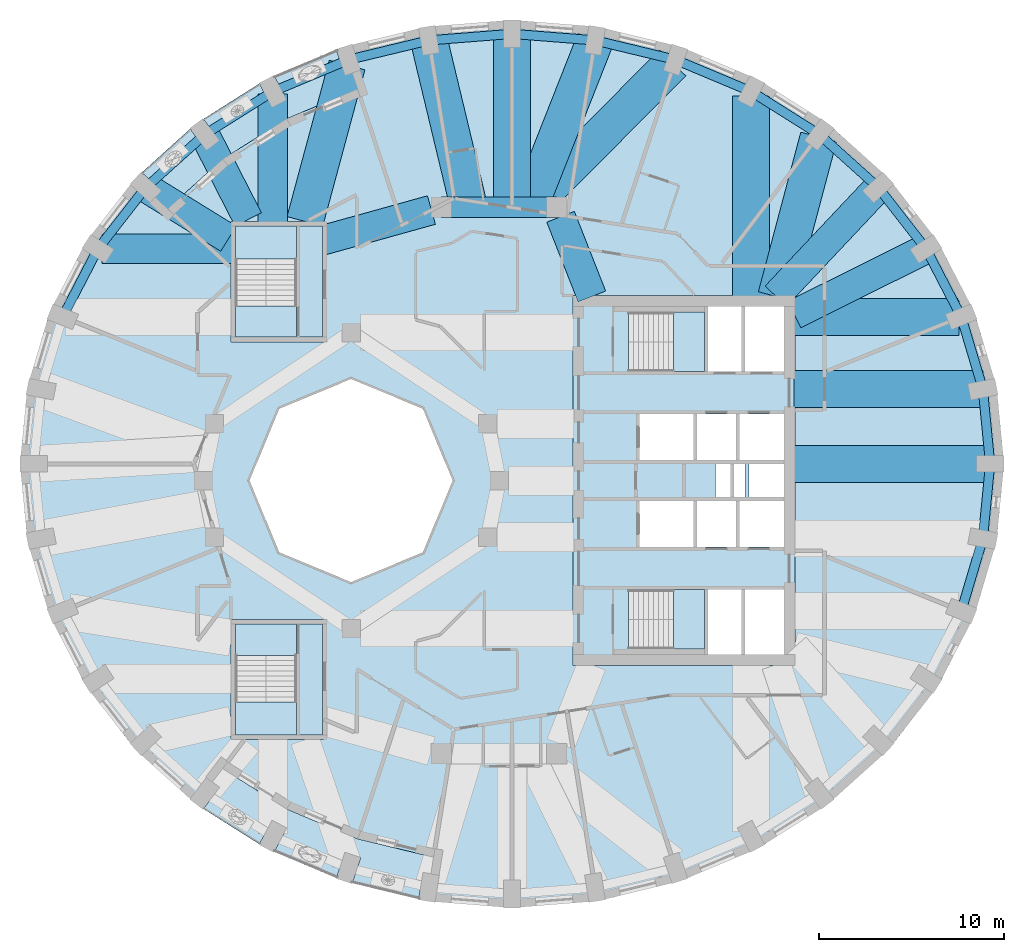
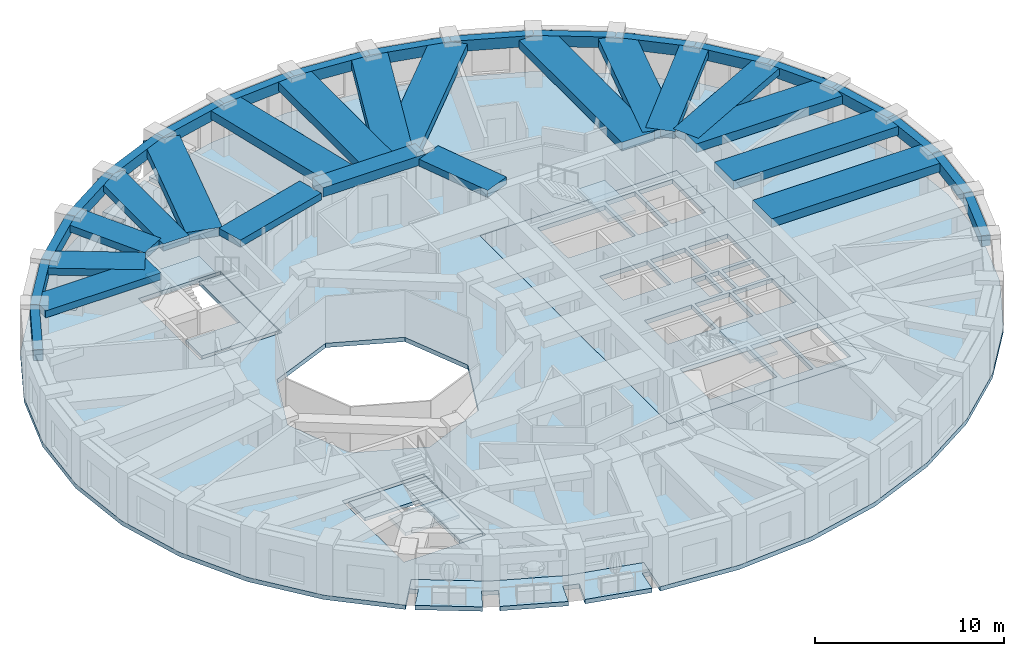
# One storey, part 2 of 12: 37 beams, 12 slabs, 4 elements without a shape of their own.
"""IFC4 building model written with IfcOpenShell, lengths in metres."""

from ifc_helpers import new_model, si_unit, direction, frame, origin, origin_2d, place, context, subcontext, project, spatial, polyline, rectangle, outline, extrude, material, layer, layer_set, material_profile, profile_set, type_object, element, aggregate, save


model = new_model("IFC4")

# Units and contexts
model_context = context("Model", 3, precision=1e-05, world=origin(), true_north=direction((0.0, 1.0)))
body_context = subcontext(model_context, "Body", "Model", "MODEL_VIEW")
ifc_project = project(units=[si_unit("LENGTHUNIT", "METRE"), si_unit("AREAUNIT", "SQUARE_METRE"), si_unit("VOLUMEUNIT", "CUBIC_METRE"), si_unit("PLANEANGLEUNIT", "RADIAN"), si_unit("MASSUNIT", "GRAM", prefix="KILO")], contexts=[model_context])

# Site, building, storey
site_placement = place(None, origin())
site = spatial("IfcSite", under=ifc_project, at=site_placement, CompositionType="ELEMENT")
building_placement = place(site_placement, origin())
building = spatial("IfcBuilding", under=site, at=building_placement, Name="Taillehof Tower", CompositionType="ELEMENT")
storey_placement = place(building_placement, frame((0.0, 0.0, 212.300048828125)))
storey = spatial("IfcBuildingStorey", under=building, at=storey_placement, Name="L60", CompositionType="ELEMENT", Elevation=212.300048828125)

# Beams
ifc_material_1 = material(Name="Concrete C50/60", Category="concrete")
ifc_material_profile_1 = material_profile(ifc_material_1, rectangle(XDim=1.10009765625, YDim=0.60009765625, at=origin_2d()), Name="RC 1100x600")
ifc_profile_set_1 = profile_set([ifc_material_profile_1], Name="Concrete C50/60")
beam_type_1 = type_object("IfcBeamType", Name="Mid-ring beam C50/60 1100x600", PredefinedType="BEAM", material=ifc_profile_set_1)
beam_1_placement = place(storey_placement, frame((3.125732421875, 14.772216796875, 2.719970703125), z_axis=(-1.0, 0.0, 0.0), x_axis=(0.0, -1.0, 0.0)))
element("IfcBeam", 1, at=beam_1_placement, inside=storey, type_object=beam_type_1, Name="Mid-ring beam MB01", PredefinedType="BEAM", context=body_context, shape_type="SweptSolid", body=[
    extrude(rectangle(XDim=1.10009765625, YDim=0.60009765625, at=origin_2d()), origin(), (0.0, 0.0, 1.0), 6.25146484375),
])
ifc_material_2 = material(Name="Concrete C50/60", Category="concrete")
ifc_material_profile_2 = material_profile(ifc_material_2, rectangle(XDim=1.60009765625, YDim=0.449951171875, at=origin_2d()), Name="RC 1600x450")
ifc_profile_set_2 = profile_set([ifc_material_profile_2], Name="Concrete C50/60")
beam_type_2 = type_object("IfcBeamType", Name="Radial band beam C50/60 1600x450", PredefinedType="BEAM", material=ifc_profile_set_2)
beam_2_placement = place(storey_placement, frame((23.086669921875, 12.52490234375, 2.794921875), z_axis=(-0.895357082848, -0.445348957778, 0.0), x_axis=(0.445348957778, -0.895357082848, 0.0)))
element("IfcBeam", 2, at=beam_2_placement, inside=storey, type_object=beam_type_2, Name="Radial band beam RB04", PredefinedType="BEAM", context=body_context, shape_type="SweptSolid", body=[
    extrude(rectangle(XDim=1.60009765625, YDim=0.449951171875, at=origin_2d()), origin(), (0.0, 0.0, 1.0), 7.96484375),
])
beam_3_placement = place(storey_placement, frame((20.502197265625, 15.8447265625, 2.794921875), z_axis=(-0.685451470964, -0.728118315217, 0.0), x_axis=(0.728118315217, -0.685451470964, 0.0)))
element("IfcBeam", 3, at=beam_3_placement, inside=storey, type_object=beam_type_2, Name="Radial band beam RB05", PredefinedType="BEAM", context=body_context, shape_type="SweptSolid", body=[
    extrude(rectangle(XDim=1.60009765625, YDim=0.449951171875, at=origin_2d()), origin(), (0.0, 0.0, 1.0), 8.07373046875),
])
beam_4_placement = place(storey_placement, frame((-12.22509765625, 20.9013671875, 2.794921875), z_axis=(0.0, -1.0, 0.0), x_axis=(1.0, 0.0, 0.0)))
element("IfcBeam", 4, at=beam_4_placement, inside=storey, type_object=beam_type_2, Name="Radial band beam RB13", PredefinedType="BEAM", context=body_context, shape_type="SweptSolid", body=[
    extrude(rectangle(XDim=1.60009765625, YDim=0.449951171875, at=origin_2d()), origin(), (0.0, 0.0, 1.0), 6.951416015625),
])
beam_5_placement = place(storey_placement, frame((-15.916015625, 18.71044921875, 2.794921875), z_axis=(0.456360793517, -0.889794822496, 0.0), x_axis=(0.889794822496, 0.456360793517, 0.0)))
element("IfcBeam", 5, at=beam_5_placement, inside=storey, type_object=beam_type_2, Name="Radial band beam RB14", PredefinedType="BEAM", context=body_context, shape_type="SweptSolid", body=[
    extrude(rectangle(XDim=1.60009765625, YDim=0.449951171875, at=origin_2d()), origin(), (0.0, 0.0, 1.0), 5.16455078125),
])
beam_6_placement = place(storey_placement, frame((-19.102294921875, 15.8447265625, 2.794921875), z_axis=(0.850616081395, -0.525787297366, 0.0), x_axis=(0.525787297366, 0.850616081395, 0.0)))
element("IfcBeam", 6, at=beam_6_placement, inside=storey, type_object=beam_type_2, Name="Radial band beam RB15", PredefinedType="BEAM", context=body_context, shape_type="SweptSolid", body=[
    extrude(rectangle(XDim=1.60009765625, YDim=0.449951171875, at=origin_2d()), origin(), (0.0, 0.0, 1.0), 5.260498046875),
])
beam_7_placement = place(storey_placement, frame((-21.47021484375, 12.52490234375, 2.794921875), z_axis=(1.0, 0.0, 0.0), x_axis=(0.0, 1.0, 0.0)))
element("IfcBeam", 7, at=beam_7_placement, inside=storey, type_object=beam_type_2, Name="Radial band beam RB16", PredefinedType="BEAM", context=body_context, shape_type="SweptSolid", body=[
    extrude(rectangle(XDim=1.60009765625, YDim=0.449951171875, at=origin_2d()), origin(), (0.0, 0.0, 1.0), 7.020263671875),
])
beam_8_placement = place(storey_placement, frame((3.32666015625, 14.26025390625, 2.794921875), z_axis=(0.365588707223, -0.930776502255, 0.0), x_axis=(0.930776502255, 0.365588707223, 0.0)))
element("IfcBeam", 8, at=beam_8_placement, inside=storey, type_object=beam_type_2, Name="Inner band beam IB205", PredefinedType="BEAM", context=body_context, shape_type="SweptSolid", body=[
    extrude(rectangle(XDim=1.60009765625, YDim=0.449951171875, at=origin_2d()), origin(), (0.0, 0.0, 1.0), 4.627197265625),
])
beam_9_placement = place(storey_placement, frame((-3.655517578125, 14.624755859375, 2.794921875), z_axis=(-0.963459369536, -0.267854518821, 0.0), x_axis=(0.267854518821, -0.963459369536, 0.0)))
element("IfcBeam", 9, at=beam_9_placement, inside=storey, type_object=beam_type_2, Name="Inner band beam IB206", PredefinedType="BEAM", context=body_context, shape_type="SweptSolid", body=[
    extrude(rectangle(XDim=1.60009765625, YDim=0.449951171875, at=origin_2d()), origin(), (0.0, 0.0, 1.0), 6.096923828125),
])
ifc_material_3 = material(Name="Concrete C50/60", Category="concrete")
ifc_material_profile_3 = material_profile(ifc_material_3, rectangle(XDim=2.0, YDim=0.550048828125, at=origin_2d()), Name="RC 2000x550")
ifc_profile_set_3 = profile_set([ifc_material_profile_3], Name="Concrete C50/60")
beam_type_3 = type_object("IfcBeamType", Name="Radial band beam C50/60 2000x550", PredefinedType="BEAM", material=ifc_profile_set_3)
beam_10_placement = place(storey_placement, frame((26.550048828125, 0.89990234375, 2.744873046875), z_axis=(-1.0, 0.0, 0.0), x_axis=(0.0, -1.0, 0.0)))
element("IfcBeam", 10, at=beam_10_placement, inside=storey, type_object=beam_type_3, Name="Radial band beam RB01", PredefinedType="BEAM", context=body_context, shape_type="SweptSolid", body=[
    extrude(rectangle(XDim=2.0, YDim=0.550048828125, at=origin_2d()), origin(), (0.0, 0.0, 1.0), 10.60009765625),
])
beam_11_placement = place(storey_placement, frame((26.1572265625, 4.937255859375, 2.744873046875), z_axis=(-1.0, 0.0, 0.0), x_axis=(0.0, -1.0, 0.0)))
element("IfcBeam", 11, at=beam_11_placement, inside=storey, type_object=beam_type_3, Name="Radial band beam RB02", PredefinedType="BEAM", context=body_context, shape_type="SweptSolid", body=[
    extrude(rectangle(XDim=2.0, YDim=0.550048828125, at=origin_2d()), origin(), (0.0, 0.0, 1.0), 10.207275390625),
])
beam_12_placement = place(storey_placement, frame((24.856201171875, 8.85205078125, 2.744873046875), z_axis=(-1.0, 0.0, 0.0), x_axis=(0.0, -1.0, 0.0)))
element("IfcBeam", 12, at=beam_12_placement, inside=storey, type_object=beam_type_3, Name="Radial band beam RB03", PredefinedType="BEAM", context=body_context, shape_type="SweptSolid", body=[
    extrude(rectangle(XDim=2.0, YDim=0.550048828125, at=origin_2d()), origin(), (0.0, 0.0, 1.0), 8.90625),
])
beam_13_placement = place(storey_placement, frame((17.28076171875, 18.577880859375, 2.744873046875), z_axis=(-0.256969711091, -0.966419457369, 0.0), x_axis=(0.966419457369, -0.256969711091, 0.0)))
element("IfcBeam", 13, at=beam_13_placement, inside=storey, type_object=beam_type_3, Name="Radial band beam RB06", PredefinedType="BEAM", context=body_context, shape_type="SweptSolid", body=[
    extrude(rectangle(XDim=2.0, YDim=0.550048828125, at=origin_2d()), origin(), (0.0, 0.0, 1.0), 8.926025390625),
])
beam_14_placement = place(storey_placement, frame((13.625, 20.797607421875, 2.744873046875), z_axis=(0.0, -1.0, 0.0), x_axis=(1.0, 0.0, 0.0)))
element("IfcBeam", 14, at=beam_14_placement, inside=storey, type_object=beam_type_3, Name="Radial band beam RB07", PredefinedType="BEAM", context=body_context, shape_type="SweptSolid", body=[
    extrude(rectangle(XDim=2.0, YDim=0.550048828125, at=origin_2d()), origin(), (0.0, 0.0, 1.0), 10.84765625),
])
beam_15_placement = place(storey_placement, frame((9.384765625, 22.590087890625, 2.744873046875), z_axis=(-0.704433609475, -0.709769885133, 0.0), x_axis=(0.709769885133, -0.704433609475, 0.0)))
element("IfcBeam", 15, at=beam_15_placement, inside=storey, type_object=beam_type_3, Name="Radial band beam RB08", PredefinedType="BEAM", context=body_context, shape_type="SweptSolid", body=[
    extrude(rectangle(XDim=2.0, YDim=0.550048828125, at=origin_2d()), origin(), (0.0, 0.0, 1.0), 10.79736328125),
])
beam_16_placement = place(storey_placement, frame((5.188720703125, 23.796875, 2.744873046875), z_axis=(-0.367222105753, -0.930133283485, 0.0), x_axis=(0.930133283485, -0.367222105753, 0.0)))
element("IfcBeam", 16, at=beam_16_placement, inside=storey, type_object=beam_type_3, Name="Radial band beam RB09", PredefinedType="BEAM", context=body_context, shape_type="SweptSolid", body=[
    extrude(rectangle(XDim=2.0, YDim=0.550048828125, at=origin_2d()), origin(), (0.0, 0.0, 1.0), 9.70263671875),
])
beam_17_placement = place(storey_placement, frame((0.699951171875, 24.14990234375, 2.744873046875), z_axis=(0.0, -1.0, 0.0), x_axis=(1.0, 0.0, 0.0)))
element("IfcBeam", 17, at=beam_17_placement, inside=storey, type_object=beam_type_3, Name="Radial band beam RB10", PredefinedType="BEAM", context=body_context, shape_type="SweptSolid", body=[
    extrude(rectangle(XDim=2.0, YDim=0.550048828125, at=origin_2d()), origin(), (0.0, 0.0, 1.0), 9.377685546875),
])
beam_18_placement = place(storey_placement, frame((-3.788818359375, 23.796875, 2.744873046875), z_axis=(0.233084395558, -0.972456510363, 0.0), x_axis=(0.972456510363, 0.233084395558, 0.0)))
element("IfcBeam", 18, at=beam_18_placement, inside=storey, type_object=beam_type_3, Name="Radial band beam RB11", PredefinedType="BEAM", context=body_context, shape_type="SweptSolid", body=[
    extrude(rectangle(XDim=2.0, YDim=0.550048828125, at=origin_2d()), origin(), (0.0, 0.0, 1.0), 9.2802734375),
])
beam_19_placement = place(storey_placement, frame((-8.2177734375, 22.464111328125, 2.744873046875), z_axis=(-0.260346436551, -0.965515268121, 0.0), x_axis=(0.965515268121, -0.260346436551, 0.0)))
element("IfcBeam", 19, at=beam_19_placement, inside=storey, type_object=beam_type_3, Name="Radial band beam RB12", PredefinedType="BEAM", context=body_context, shape_type="SweptSolid", body=[
    extrude(rectangle(XDim=2.0, YDim=0.550048828125, at=origin_2d()), origin(), (0.0, 0.0, 1.0), 8.755859375),
])
ifc_material_4 = material(Name="Concrete C50/60", Category="concrete")
ifc_material_profile_4 = material_profile(ifc_material_4, rectangle(XDim=0.5, YDim=0.699951171875, at=origin_2d()), Name="RC 500x700")
ifc_profile_set_4 = profile_set([ifc_material_profile_4], Name="Concrete C50/60")
beam_type_4 = type_object("IfcBeamType", Name="Spandrel beam C50/60 500x700", PredefinedType="SPANDREL", material=ifc_profile_set_4)
beam_20_placement = place(storey_placement, frame((26.550048828125, 0.89990234375, 2.669921875), z_axis=(-0.096839674059, 0.995299993735, 0.0), x_axis=(-0.995299993735, -0.096839674059, 0.0)))
element("IfcBeam", 20, at=beam_20_placement, inside=storey, type_object=beam_type_4, Name="Spandrel beam SB01", PredefinedType="SPANDREL", context=body_context, shape_type="SweptSolid", body=[
    extrude(rectangle(XDim=0.5, YDim=0.699951171875, at=origin_2d()), origin(), (0.0, 0.0, 1.0), 4.056396484375),
])
beam_21_placement = place(storey_placement, frame((26.1572265625, 4.937255859375, 2.669921875), z_axis=(-0.285510458946, 0.9583755933, 0.0), x_axis=(-0.9583755933, -0.285510458946, 0.0)))
element("IfcBeam", 21, at=beam_21_placement, inside=storey, type_object=beam_type_4, Name="Spandrel beam SB02", PredefinedType="SPANDREL", context=body_context, shape_type="SweptSolid", body=[
    extrude(rectangle(XDim=0.5, YDim=0.699951171875, at=origin_2d()), origin(), (0.0, 0.0, 1.0), 4.084716796875),
])
beam_22_placement = place(storey_placement, frame((24.990966796875, 8.85205078125, 2.669921875), z_axis=(-0.460289604274, 0.887768821371, 0.0), x_axis=(-0.887768821371, -0.460289604274, 0.0)))
element("IfcBeam", 22, at=beam_22_placement, inside=storey, type_object=beam_type_4, Name="Spandrel beam SB03", PredefinedType="SPANDREL", context=body_context, shape_type="SweptSolid", body=[
    extrude(rectangle(XDim=0.5, YDim=0.699951171875, at=origin_2d()), origin(), (0.0, 0.0, 1.0), 4.13720703125),
])
beam_23_placement = place(storey_placement, frame((23.086669921875, 12.52490234375, 2.669921875), z_axis=(-0.614294081938, 0.789077170432, 0.0), x_axis=(-0.789077170432, -0.614294081938, 0.0)))
element("IfcBeam", 23, at=beam_23_placement, inside=storey, type_object=beam_type_4, Name="Spandrel beam SB04", PredefinedType="SPANDREL", context=body_context, shape_type="SweptSolid", body=[
    extrude(rectangle(XDim=0.5, YDim=0.699951171875, at=origin_2d()), origin(), (0.0, 0.0, 1.0), 4.207275390625),
])
beam_24_placement = place(storey_placement, frame((20.502197265625, 15.8447265625, 2.669921875), z_axis=(-0.743492416006, 0.668744366213, 0.0), x_axis=(-0.668744366213, -0.743492416006, 0.0)))
element("IfcBeam", 24, at=beam_24_placement, inside=storey, type_object=beam_type_4, Name="Spandrel beam SB05", PredefinedType="SPANDREL", context=body_context, shape_type="SweptSolid", body=[
    extrude(rectangle(XDim=0.5, YDim=0.699951171875, at=origin_2d()), origin(), (0.0, 0.0, 1.0), 4.28515625),
])
beam_25_placement = place(storey_placement, frame((17.316162109375, 18.71044921875, 2.669921875), z_axis=(-0.846166475687, 0.532918657417, 0.0), x_axis=(-0.532918657417, -0.846166475687, 0.0)))
element("IfcBeam", 25, at=beam_25_placement, inside=storey, type_object=beam_type_4, Name="Spandrel beam SB06", PredefinedType="SPANDREL", context=body_context, shape_type="SweptSolid", body=[
    extrude(rectangle(XDim=0.5, YDim=0.699951171875, at=origin_2d()), origin(), (0.0, 0.0, 1.0), 4.3623046875),
])
beam_26_placement = place(storey_placement, frame((13.625, 21.03515625, 2.669921875), z_axis=(-0.92218550199, 0.386747850569, 0.0), x_axis=(-0.386747850569, -0.92218550199, 0.0)))
element("IfcBeam", 26, at=beam_26_placement, inside=storey, type_object=beam_type_4, Name="Spandrel beam SB07", PredefinedType="SPANDREL", context=body_context, shape_type="SweptSolid", body=[
    extrude(rectangle(XDim=0.5, YDim=0.699951171875, at=origin_2d()), origin(), (0.0, 0.0, 1.0), 4.42822265625),
])
beam_27_placement = place(storey_placement, frame((9.541259765625, 22.747802734375, 2.669921875), z_axis=(-0.972160640613, 0.234315361943, 0.0), x_axis=(-0.234315361943, -0.972160640613, 0.0)))
element("IfcBeam", 27, at=beam_27_placement, inside=storey, type_object=beam_type_4, Name="Spandrel beam SB08", PredefinedType="SPANDREL", context=body_context, shape_type="SweptSolid", body=[
    extrude(rectangle(XDim=0.5, YDim=0.699951171875, at=origin_2d()), origin(), (0.0, 0.0, 1.0), 4.477294921875),
])
for number, where, z_axis, x_axis, name in (
    (28, (5.188720703125, 23.796875, 2.669921875), (-0.996921613963, 0.078404691275, 0.0), (-0.078404691275, -0.996921613963, 0.0), "Spandrel beam SB09"),
    (29, (0.699951171875, 24.14990234375, 2.669921875), (-0.996921613963, -0.078404691275, 0.0), (0.078404691275, -0.996921613963, 0.0), "Spandrel beam SB10"),
):
    element("IfcBeam", number, at=place(storey_placement, frame(where, z_axis=z_axis, x_axis=x_axis)), inside=storey, type_object=beam_type_4, Name=name, PredefinedType="SPANDREL", context=body_context, shape_type="SweptSolid", body=[
        extrude(rectangle(XDim=0.5, YDim=0.699951171875, at=origin_2d()), origin(), (0.0, 0.0, 1.0), 4.502685546875),
    ])
beam_28_placement = place(storey_placement, frame((-3.788818359375, 23.796875, 2.669921875), z_axis=(-0.972157646478, -0.234327784087, 0.0), x_axis=(0.234327784087, -0.972157646478, 0.0)))
element("IfcBeam", 30, at=beam_28_placement, inside=storey, type_object=beam_type_4, Name="Spandrel beam SB11", PredefinedType="SPANDREL", context=body_context, shape_type="SweptSolid", body=[
    extrude(rectangle(XDim=0.5, YDim=0.699951171875, at=origin_2d()), origin(), (0.0, 0.0, 1.0), 4.47705078125),
])
beam_29_placement = place(storey_placement, frame((-8.14111328125, 22.747802734375, 2.669921875), z_axis=(-0.922193747603, -0.386728188632, 0.0), x_axis=(0.386728188632, -0.922193747603, 0.0)))
element("IfcBeam", 31, at=beam_29_placement, inside=storey, type_object=beam_type_4, Name="Spandrel beam SB12", PredefinedType="SPANDREL", context=body_context, shape_type="SweptSolid", body=[
    extrude(rectangle(XDim=0.5, YDim=0.699951171875, at=origin_2d()), origin(), (0.0, 0.0, 1.0), 4.428466796875),
])
beam_30_placement = place(storey_placement, frame((-12.22509765625, 21.03515625, 2.669921875), z_axis=(-0.846150579775, -0.532943896059, 0.0), x_axis=(0.532943896059, -0.846150579775, 0.0)))
element("IfcBeam", 32, at=beam_30_placement, inside=storey, type_object=beam_type_4, Name="Spandrel beam SB13", PredefinedType="SPANDREL", context=body_context, shape_type="SweptSolid", body=[
    extrude(rectangle(XDim=0.5, YDim=0.699951171875, at=origin_2d()), origin(), (0.0, 0.0, 1.0), 4.362060546875),
])
beam_31_placement = place(storey_placement, frame((-15.916015625, 18.71044921875, 2.669921875), z_axis=(-0.743517893617, -0.668716039789, 0.0), x_axis=(0.668716039789, -0.743517893617, 0.0)))
element("IfcBeam", 33, at=beam_31_placement, inside=storey, type_object=beam_type_4, Name="Spandrel beam SB14", PredefinedType="SPANDREL", context=body_context, shape_type="SweptSolid", body=[
    extrude(rectangle(XDim=0.5, YDim=0.699951171875, at=origin_2d()), origin(), (0.0, 0.0, 1.0), 4.285400390625),
])
beam_32_placement = place(storey_placement, frame((-19.102294921875, 15.8447265625, 2.669921875), z_axis=(-0.614294081938, -0.789077170432, 0.0), x_axis=(0.789077170432, -0.614294081938, 0.0)))
element("IfcBeam", 34, at=beam_32_placement, inside=storey, type_object=beam_type_4, Name="Spandrel beam SB15", PredefinedType="SPANDREL", context=body_context, shape_type="SweptSolid", body=[
    extrude(rectangle(XDim=0.5, YDim=0.699951171875, at=origin_2d()), origin(), (0.0, 0.0, 1.0), 4.207275390625),
])
beam_33_placement = place(storey_placement, frame((-21.686767578125, 12.52490234375, 2.669921875), z_axis=(-0.460289604274, -0.887768821371, 0.0), x_axis=(0.887768821371, -0.460289604274, 0.0)))
element("IfcBeam", 35, at=beam_33_placement, inside=storey, type_object=beam_type_4, Name="Spandrel beam SB16", PredefinedType="SPANDREL", context=body_context, shape_type="SweptSolid", body=[
    extrude(rectangle(XDim=0.5, YDim=0.699951171875, at=origin_2d()), origin(), (0.0, 0.0, 1.0), 4.13720703125),
])
beam_34_placement = place(storey_placement, frame((24.990966796875, -7.052001953125, 2.669921875), z_axis=(0.285510458946, 0.9583755933, 0.0), x_axis=(-0.9583755933, 0.285510458946, 0.0)))
element("IfcBeam", 36, at=beam_34_placement, inside=storey, type_object=beam_type_4, Name="Spandrel beam SB35", PredefinedType="SPANDREL", context=body_context, shape_type="SweptSolid", body=[
    extrude(rectangle(XDim=0.5, YDim=0.699951171875, at=origin_2d()), origin(), (0.0, 0.0, 1.0), 4.084716796875),
])
beam_35_placement = place(storey_placement, frame((26.1572265625, -3.13720703125, 2.669921875), z_axis=(0.096845475428, 0.995299429262, 0.0), x_axis=(-0.995299429262, 0.096845475428, 0.0)))
element("IfcBeam", 37, at=beam_35_placement, inside=storey, type_object=beam_type_4, Name="Spandrel beam SB36", PredefinedType="SPANDREL", context=body_context, shape_type="SweptSolid", body=[
    extrude(rectangle(XDim=0.5, YDim=0.699951171875, at=origin_2d()), origin(), (0.0, 0.0, 1.0), 4.05615234375),
])

# Slabs
ifc_material_5 = material(Name="Concrete C40/50", Category="concrete")
ifc_layer_1 = layer(ifc_material_5, 0.280029296875)
ifc_layer_set_1 = layer_set([ifc_layer_1], Name="Balcony slab 280")
slab_type_1 = type_object("IfcSlabType", Name="Balcony slab 280", PredefinedType="USERDEFINED", material=ifc_layer_set_1)
slab_1_placement = place(storey_placement, frame((0.0, 0.0, -0.280029296875)))
element("IfcSlab", 38, at=slab_1_placement, inside=storey, type_object=slab_type_1, Name="Balcony L60 pocket 7", ObjectType="BALCONY", PredefinedType="USERDEFINED", context=body_context, shape_type="SweptSolid", body=[
    extrude(outline(polyline([(-3.5419921875, -20.365234375), (-3.683349609375, -21.254150390625), (-4.115478515625, -21.185302734375), (-4.345458984375, -22.63232421875), (-7.935791015625, -21.764404296875), (-7.479736328125, -20.375732421875), (-8.334716796875, -20.094970703125), (-8.791748046875, -21.48681640625), (-12.15380859375, -20.072265625), (-11.4794921875, -18.77783203125), (-12.277587890625, -18.362060546875), (-12.9541015625, -19.660888671875), (-15.984375, -17.746337890625), (-15.1044921875, -16.584228515625), (-15.493408203125, -16.289794921875), (-14.949462890625, -15.571533203125), (-11.4912109375, -17.756103515625), (-7.64892578125, -19.372314453125), (-3.5419921875, -20.365234375)])), origin(), (0.0, 0.0, 1.0), 0.280029296875),
])
slab_2_placement = place(storey_placement, frame((0.0, 0.0, -0.280029296875)))
element("IfcSlab", 39, at=slab_2_placement, inside=storey, type_object=slab_type_1, Name="Balcony L60 pocket 3", ObjectType="BALCONY", PredefinedType="USERDEFINED", context=body_context, shape_type="SweptSolid", body=[
    extrude(outline(polyline([(-17.91943359375, 14.6923828125), (-18.5791015625, 15.30615234375), (-18.24658203125, 15.66357421875), (-19.31298828125, 16.6552734375), (-16.70556640625, 19.0078125), (-15.822021484375, 17.841064453125), (-15.1044921875, 18.38427734375), (-15.984375, 19.54638671875), (-12.9541015625, 21.4609375), (-12.277587890625, 20.162109375), (-11.4794921875, 20.577880859375), (-12.15380859375, 21.872314453125), (-8.791748046875, 23.286865234375), (-8.334716796875, 21.894775390625), (-7.929931640625, 22.02783203125), (-7.64892578125, 21.17236328125), (-11.4912109375, 19.55615234375), (-14.949462890625, 17.37158203125), (-17.91943359375, 14.6923828125)])), origin(), (0.0, 0.0, 1.0), 0.280029296875),
])
ifc_material_6 = material(Name="Concrete C40/50", Category="concrete")
ifc_layer_2 = layer(ifc_material_6, 0.280029296875)
ifc_layer_set_2 = layer_set([ifc_layer_2], Name="Core floor slab C40/50 280")
slab_type_2 = type_object("IfcSlabType", Name="Core floor slab C40/50 280", PredefinedType="FLOOR", material=ifc_layer_set_2)
slab_3_placement = place(storey_placement, frame((0.0, 0.0, -0.280029296875)))
element("IfcSlab", 40, at=slab_3_placement, inside=storey, type_object=slab_type_2, Name="Core floor L60", PredefinedType="FLOOR", context=body_context, shape_type="SweptSolid", body=[
    extrude(outline(polyline([(4.0, -10.0), (4.0, 10.0), (16.0, 10.0), (16.0, -10.0), (4.0, -10.0)]), holes=[polyline([(11.10009765625, -9.10009765625), (11.10009765625, -5.89990234375), (7.00048828125, -5.89990234375), (7.00048828125, -9.10009765625), (11.10009765625, -9.10009765625)]), polyline([(10.5, -3.60009765625), (10.5, -1.10009765625), (7.60009765625, -1.10009765625), (7.60009765625, -3.60009765625), (10.5, -3.60009765625)]), polyline([(12.800048828125, -3.60009765625), (12.800048828125, -1.10009765625), (10.699951171875, -1.10009765625), (10.699951171875, -3.60009765625), (12.800048828125, -3.60009765625)]), polyline([(12.5, -0.89990234375), (12.5, 0.89990234375), (11.699951171875, 0.89990234375), (11.699951171875, -0.89990234375), (12.5, -0.89990234375)]), polyline([(10.5, 1.10009765625), (10.5, 3.60009765625), (7.60009765625, 3.60009765625), (7.60009765625, 1.10009765625), (10.5, 1.10009765625)]), polyline([(12.800048828125, 1.10009765625), (12.800048828125, 3.60009765625), (10.699951171875, 3.60009765625), (10.699951171875, 1.10009765625), (12.800048828125, 1.10009765625)]), polyline([(11.10009765625, 5.89990234375), (11.10009765625, 9.10009765625), (7.00048828125, 9.10009765625), (7.00048828125, 5.89990234375), (11.10009765625, 5.89990234375)]), polyline([(13.10009765625, 5.89990234375), (13.10009765625, 9.39990234375), (11.300048828125, 9.39990234375), (11.300048828125, 5.89990234375), (13.10009765625, 5.89990234375)]), polyline([(13.10009765625, -9.39990234375), (13.10009765625, -5.89990234375), (11.300048828125, -5.89990234375), (11.300048828125, -9.39990234375), (13.10009765625, -9.39990234375)]), polyline([(15.39990234375, -9.39990234375), (15.39990234375, -5.89990234375), (13.300048828125, -5.89990234375), (13.300048828125, -9.39990234375), (15.39990234375, -9.39990234375)]), polyline([(15.39990234375, -3.60009765625), (15.39990234375, -1.10009765625), (13.0, -1.10009765625), (13.0, -3.60009765625), (15.39990234375, -3.60009765625)]), polyline([(13.300048828125, -0.89990234375), (13.300048828125, 0.89990234375), (12.699951171875, 0.89990234375), (12.699951171875, -0.89990234375), (13.300048828125, -0.89990234375)]), polyline([(15.39990234375, -0.89990234375), (15.39990234375, 0.89990234375), (13.5, 0.89990234375), (13.5, -0.89990234375), (15.39990234375, -0.89990234375)]), polyline([(15.39990234375, 1.10009765625), (15.39990234375, 3.60009765625), (13.0, 3.60009765625), (13.0, 1.10009765625), (15.39990234375, 1.10009765625)]), polyline([(15.39990234375, 5.89990234375), (15.39990234375, 9.39990234375), (13.300048828125, 9.39990234375), (13.300048828125, 5.89990234375), (15.39990234375, 5.89990234375)])]), origin(), (0.0, 0.0, 1.0), 0.280029296875),
])
ifc_material_7 = material(Name="Concrete C40/50", Category="concrete")
ifc_layer_3 = layer(ifc_material_7, 0.280029296875)
ifc_layer_set_3 = layer_set([ifc_layer_3], Name="Floor slab 280")
slab_type_3 = type_object("IfcSlabType", Name="Floor slab 280", PredefinedType="FLOOR", material=ifc_layer_set_3)
slab_4_placement = place(storey_placement, frame((0.0, 0.0, -0.280029296875)))
element("IfcSlab", 41, at=slab_4_placement, inside=storey, type_object=slab_type_3, Name="Floor slab L60", PredefinedType="FLOOR", context=body_context, shape_type="SweptSolid", body=[
    extrude(outline(polyline([(27.300048828125, 0.89990234375), (26.89599609375, 5.067626953125), (25.69580078125, 9.1083984375), (23.736328125, 12.89990234375), (21.076904296875, 16.326904296875), (17.798095703125, 19.28515625), (14.0, 21.6845703125), (9.797607421875, 23.45263671875), (5.319091796875, 24.535400390625), (0.699951171875, 24.89990234375), (-3.9189453125, 24.535400390625), (-8.397705078125, 23.45263671875), (-7.64892578125, 21.17236328125), (-11.4912109375, 19.55615234375), (-14.949462890625, 17.37158203125), (-17.919189453125, 14.6923828125), (-19.6767578125, 16.326904296875), (-22.336181640625, 12.89990234375), (-24.2958984375, 9.1083984375), (-25.495849609375, 5.067626953125), (-25.89990234375, 0.89990234375), (-25.495849609375, -3.267578125), (-24.2958984375, -7.30859375), (-22.336181640625, -11.10009765625), (-19.6767578125, -14.52685546875), (-16.398193359375, -17.485107421875), (-14.949462890625, -15.571533203125), (-11.4912109375, -17.756103515625), (-7.64892578125, -19.372314453125), (-3.5419921875, -20.365234375), (-3.9189453125, -22.7353515625), (0.699951171875, -23.10009765625), (5.319091796875, -22.7353515625), (9.797607421875, -21.652587890625), (14.0, -19.884521484375), (17.798095703125, -17.485107421875), (21.076904296875, -14.52685546875), (23.736328125, -11.10009765625), (25.69580078125, -7.30859375), (26.89599609375, -3.267578125), (27.300048828125, 0.89990234375)]), holes=[polyline([(-14.5, -7.5), (-9.5, -7.5), (-9.5, -14.0), (-14.5, -14.0), (-14.5, -7.5)]), polyline([(-8.0, -5.5), (-11.88916015625, -3.88916015625), (-13.5, 0.0), (-11.88916015625, 3.88916015625), (-8.0, 5.5), (-4.11083984375, 3.88916015625), (-2.5, 0.0), (-4.11083984375, -3.88916015625), (-8.0, -5.5)]), polyline([(16.0, 10.0), (16.0, -10.0), (4.0, -10.0), (4.0, 10.0), (16.0, 10.0)]), polyline([(-14.5, 14.0), (-9.5, 14.0), (-9.5, 7.5), (-14.5, 7.5), (-14.5, 14.0)])]), origin(), (0.0, 0.0, 1.0), 0.280029296875),
])

# Stair, slab
ifc_material_8 = material(Name="Concrete C40/50", Category="concrete")
stair_type = type_object("IfcStairType", Name="Exit stair half-turn", PredefinedType="HALF_TURN_STAIR", material=ifc_material_8)
stair_1_placement = place(storey_placement, origin())
stair_1 = element("IfcStair", 42, at=stair_1_placement, inside=storey, type_object=stair_type, Name="Exit stair S1", PredefinedType="HALF_TURN_STAIR")
ifc_material_9 = material(Name="Concrete C40/50", Category="concrete")
ifc_layer_4 = layer(ifc_material_9, 0.2099609375)
ifc_layer_set_4 = layer_set([ifc_layer_4], Name="Stair landing C40/50 210")
slab_type_4 = type_object("IfcSlabType", Name="Stair landing C40/50 210", PredefinedType="LANDING", material=ifc_layer_set_4)
slab_5_placement = place(storey_placement, frame((0.0, 0.0, 1.43994140625)))
slab_5 = element("IfcSlab", 43, at=slab_5_placement, type_object=slab_type_4, Name="S1 landing 1", PredefinedType="LANDING", context=body_context, shape_type="SweptSolid", body=[
    extrude(outline(polyline([(9.429931640625, 5.89990234375), (11.10009765625, 5.89990234375), (11.10009765625, 9.10009765625), (9.429931640625, 9.10009765625), (9.429931640625, 5.89990234375)])), origin(), (0.0, 0.0, 1.0), 0.2099609375),
])
aggregate(stair_1, [slab_5])

stair_2_placement = place(storey_placement, origin())
stair_2 = element("IfcStair", 44, at=stair_2_placement, inside=storey, type_object=stair_type, Name="Exit stair S2", PredefinedType="HALF_TURN_STAIR")
slab_6_placement = place(storey_placement, frame((0.0, 0.0, 1.43994140625)))
slab_6 = element("IfcSlab", 45, at=slab_6_placement, type_object=slab_type_4, Name="S2 landing 1", PredefinedType="LANDING", context=body_context, shape_type="SweptSolid", body=[
    extrude(outline(polyline([(9.429931640625, -5.89990234375), (11.10009765625, -5.89990234375), (11.10009765625, -9.10009765625), (9.429931640625, -9.10009765625), (9.429931640625, -5.89990234375)])), origin(), (0.0, 0.0, 1.0), 0.2099609375),
])
aggregate(stair_2, [slab_6])

stair_3_placement = place(storey_placement, origin())
stair_3 = element("IfcStair", 46, at=stair_3_placement, inside=storey, type_object=stair_type, Name="Exit stair S3", PredefinedType="HALF_TURN_STAIR")
slab_7_placement = place(storey_placement, frame((0.0, 0.0, 1.43994140625)))
slab_7 = element("IfcSlab", 47, at=slab_7_placement, type_object=slab_type_4, Name="S3 landing 1", PredefinedType="LANDING", context=body_context, shape_type="SweptSolid", body=[
    extrude(outline(polyline([(-14.25, 11.969970703125), (-14.25, 13.75), (-10.949951171875, 13.75), (-10.949951171875, 11.969970703125), (-14.25, 11.969970703125)])), origin(), (0.0, 0.0, 1.0), 0.2099609375),
])
aggregate(stair_3, [slab_7])

stair_4_placement = place(storey_placement, origin())
stair_4 = element("IfcStair", 48, at=stair_4_placement, inside=storey, type_object=stair_type, Name="Exit stair S4", PredefinedType="HALF_TURN_STAIR")
slab_8_placement = place(storey_placement, frame((0.0, 0.0, 1.43994140625)))
slab_8 = element("IfcSlab", 49, at=slab_8_placement, type_object=slab_type_4, Name="S4 landing 1", PredefinedType="LANDING", context=body_context, shape_type="SweptSolid", body=[
    extrude(outline(polyline([(-14.25, -11.969970703125), (-14.25, -13.75), (-10.949951171875, -13.75), (-10.949951171875, -11.969970703125), (-14.25, -11.969970703125)])), origin(), (0.0, 0.0, 1.0), 0.2099609375),
])
aggregate(stair_4, [slab_8])

# Slabs
slab_9_placement = place(storey_placement, frame((0.0, 0.0, -0.2099609375)))
element("IfcSlab", 50, at=slab_9_placement, inside=storey, type_object=slab_type_4, Name="Stair S3 floor landing", PredefinedType="LANDING", context=body_context, shape_type="SweptSolid", body=[
    extrude(outline(polyline([(-14.25, 7.75), (-14.25, 9.449951171875), (-10.949951171875, 9.449951171875), (-10.949951171875, 7.75), (-14.25, 7.75)])), origin(), (0.0, 0.0, 1.0), 0.2099609375),
])
slab_10_placement = place(storey_placement, frame((0.0, 0.0, -0.2099609375)))
element("IfcSlab", 51, at=slab_10_placement, inside=storey, type_object=slab_type_4, Name="Stair lobby S3 floor", PredefinedType="LANDING", context=body_context, shape_type="SweptSolid", body=[
    extrude(outline(polyline([(-10.949951171875, 7.75), (-9.550048828125, 7.75), (-9.550048828125, 13.75), (-10.949951171875, 13.75), (-10.949951171875, 7.75)])), origin(), (0.0, 0.0, 1.0), 0.2099609375),
])
slab_11_placement = place(storey_placement, frame((0.0, 0.0, -0.2099609375)))
element("IfcSlab", 52, at=slab_11_placement, inside=storey, type_object=slab_type_4, Name="Stair S4 floor landing", PredefinedType="LANDING", context=body_context, shape_type="SweptSolid", body=[
    extrude(outline(polyline([(-14.25, -7.75), (-14.25, -9.449951171875), (-10.949951171875, -9.449951171875), (-10.949951171875, -7.75), (-14.25, -7.75)])), origin(), (0.0, 0.0, 1.0), 0.2099609375),
])
slab_12_placement = place(storey_placement, frame((0.0, 0.0, -0.2099609375)))
element("IfcSlab", 53, at=slab_12_placement, inside=storey, type_object=slab_type_4, Name="Stair lobby S4 floor", PredefinedType="LANDING", context=body_context, shape_type="SweptSolid", body=[
    extrude(outline(polyline([(-10.949951171875, -13.75), (-9.550048828125, -13.75), (-9.550048828125, -7.75), (-10.949951171875, -7.75), (-10.949951171875, -13.75)])), origin(), (0.0, 0.0, 1.0), 0.2099609375),
])

save(model, "model.ifc")
